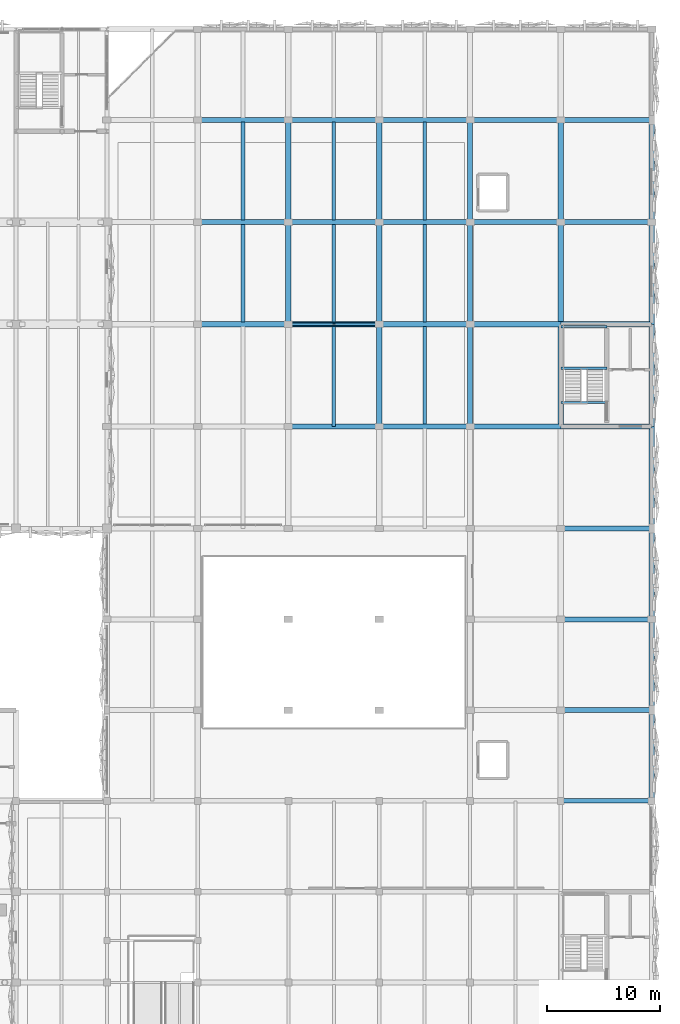
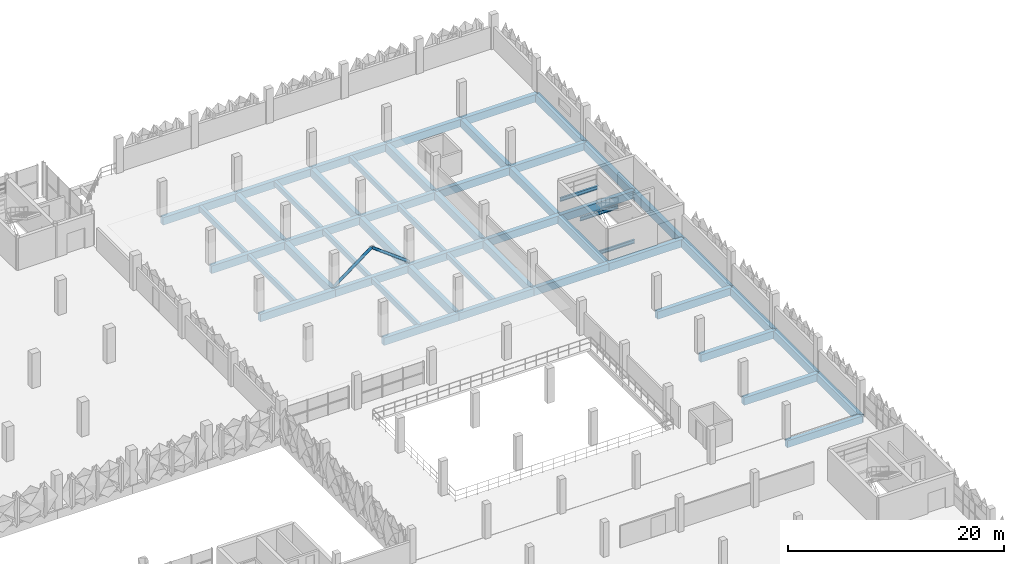
# One storey, part 55 of 123: 52 beams, 2 members.
"""IFC4 building model written with IfcOpenShell, lengths in metres."""

from ifc_helpers import new_model, si_unit, derived_unit, direction, frame, origin, origin_2d, place, context, subcontext, project, spatial, rectangle, hollow_circle, i_section, extrude, material, material_profile, profile_set, type_object, element, save


model = new_model("IFC4")

# Units and contexts
model_context = context("Model", 3, precision=1e-05, world=origin(), true_north=direction((0.0, 1.0)))
body_context = subcontext(model_context, "Body", "Model", "MODEL_VIEW")
ifc_project = project(units=[si_unit("LENGTHUNIT", "METRE"), si_unit("AREAUNIT", "SQUARE_METRE"), si_unit("VOLUMEUNIT", "CUBIC_METRE"), si_unit("PLANEANGLEUNIT", "RADIAN"), si_unit("MASSUNIT", "GRAM", prefix="KILO"), si_unit("THERMODYNAMICTEMPERATUREUNIT", "KELVIN"), derived_unit("THERMALTRANSMITTANCEUNIT", [(si_unit("POWERUNIT", "WATT"), 1), (si_unit("AREAUNIT", "SQUARE_METRE"), -1), (si_unit("THERMODYNAMICTEMPERATUREUNIT", "KELVIN"), -1)])], contexts=[model_context])

# Site, building, storey
site_placement = place(None, origin())
site = spatial("IfcSite", under=ifc_project, at=site_placement, CompositionType="ELEMENT")
building_placement = place(site_placement, origin())
building = spatial("IfcBuilding", under=site, at=building_placement, Name="Haiyu Intermodal Mobility Hub", CompositionType="ELEMENT")
storey_placement = place(building_placement, frame((0.0, 0.0, 5.60009765625)))
storey = spatial("IfcBuildingStorey", under=building, at=storey_placement, Name="L01", CompositionType="ELEMENT", Elevation=5.60009765625)

# Beams
ifc_material_1 = material(Name="Concrete C40", Category="concrete")
ifc_material_profile_1 = material_profile(ifc_material_1, rectangle(XDim=0.449951171875, YDim=0.85009765625, at=origin_2d()), Name="RCB450x850")
ifc_profile_set_1 = profile_set([ifc_material_profile_1], Name="Concrete C40")
beam_type_1 = type_object("IfcBeamType", Name="BM-CB02", PredefinedType="BEAM", material=ifc_profile_set_1)
for number, where, z_axis, x_axis, name in (
    (1, (202.0, 88.0, -0.68505859375), (1.0, 0.0, 0.0), (0.0, 1.0, 0.0), "BM-V6G-L01-012"),
    (2, (202.0, 96.0, -0.68505859375), (1.0, 0.0, 0.0), (0.0, 1.0, 0.0), "BM-V6G-L01-018"),
    (3, (202.0, 104.0, -0.68505859375), (1.0, 0.0, 0.0), (0.0, 1.0, 0.0), "BM-V6G-L01-024"),
    (4, (178.0, 113.0, -0.68505859375), (1.0, 0.0, 0.0), (0.0, 1.0, 0.0), "BM-V6G-L01-027"),
    (5, (186.0, 113.0, -0.68505859375), (1.0, 0.0, 0.0), (0.0, 1.0, 0.0), "BM-V6G-L01-028"),
    (6, (194.0, 113.0, -0.68505859375), (1.0, 0.0, 0.0), (0.0, 1.0, 0.0), "BM-V6G-L01-029"),
    (7, (202.0, 113.0, -0.68505859375), (1.0, 0.0, 0.0), (0.0, 1.0, 0.0), "BM-V6G-L01-030"),
    (8, (170.0, 122.0, -0.68505859375), (1.0, 0.0, 0.0), (0.0, 1.0, 0.0), "BM-V6G-L01-032"),
    (9, (178.0, 122.0, -0.68505859375), (1.0, 0.0, 0.0), (0.0, 1.0, 0.0), "BM-V6G-L01-033"),
    (10, (186.0, 122.0, -0.68505859375), (1.0, 0.0, 0.0), (0.0, 1.0, 0.0), "BM-V6G-L01-034"),
    (11, (194.0, 122.0, -0.68505859375), (1.0, 0.0, 0.0), (0.0, 1.0, 0.0), "BM-V6G-L01-035"),
    (12, (202.0, 122.0, -0.68505859375), (1.0, 0.0, 0.0), (0.0, 1.0, 0.0), "BM-V6G-L01-036"),
    (13, (170.0, 131.0, -0.68505859375), (1.0, 0.0, 0.0), (0.0, 1.0, 0.0), "BM-V6G-L01-038"),
    (14, (178.0, 131.0, -0.68505859375), (1.0, 0.0, 0.0), (0.0, 1.0, 0.0), "BM-V6G-L01-039"),
    (15, (186.0, 131.0, -0.68505859375), (1.0, 0.0, 0.0), (0.0, 1.0, 0.0), "BM-V6G-L01-040"),
    (16, (194.0, 131.0, -0.68505859375), (1.0, 0.0, 0.0), (0.0, 1.0, 0.0), "BM-V6G-L01-041"),
    (17, (202.0, 131.0, -0.68505859375), (1.0, 0.0, 0.0), (0.0, 1.0, 0.0), "BM-V6G-L01-042"),
    (18, (170.0, 140.0, -0.68505859375), (1.0, 0.0, 0.0), (0.0, 1.0, 0.0), "BM-V6G-L01-044"),
    (19, (178.0, 140.0, -0.68505859375), (1.0, 0.0, 0.0), (0.0, 1.0, 0.0), "BM-V6G-L01-045"),
    (20, (186.0, 140.0, -0.68505859375), (1.0, 0.0, 0.0), (0.0, 1.0, 0.0), "BM-V6G-L01-046"),
    (21, (194.0, 140.0, -0.68505859375), (1.0, 0.0, 0.0), (0.0, 1.0, 0.0), "BM-V6G-L01-047"),
    (22, (202.0, 140.0, -0.68505859375), (1.0, 0.0, 0.0), (0.0, 1.0, 0.0), "BM-V6G-L01-048"),
):
    element("IfcBeam", number, at=place(storey_placement, frame(where, z_axis=z_axis, x_axis=x_axis)), inside=storey, type_object=beam_type_1, Name=name, PredefinedType="BEAM", context=body_context, shape_type="SweptSolid", body=[
        extrude(rectangle(XDim=0.449951171875, YDim=0.85009765625, at=origin_2d()), origin(), (0.0, 0.0, 1.0), 8.0),
    ])
ifc_material_profile_2 = material_profile(ifc_material_1, rectangle(XDim=0.39990234375, YDim=0.800048828125, at=origin_2d()), Name="RCB400x800")
ifc_profile_set_2 = profile_set([ifc_material_profile_2], Name="Concrete C40")
beam_type_2 = type_object("IfcBeamType", Name="BM-CB05", PredefinedType="BEAM", material=ifc_profile_set_2)
beam_1_placement = place(storey_placement, frame((202.0, 80.0, -0.66015625), z_axis=(1.0, 0.0, 0.0), x_axis=(0.0, 1.0, 0.0)))
element("IfcBeam", 23, at=beam_1_placement, inside=storey, type_object=beam_type_2, Name="BM-V5G-L01-062", PredefinedType="BEAM", context=body_context, shape_type="SweptSolid", body=[
    extrude(rectangle(XDim=0.39990234375, YDim=0.800048828125, at=origin_2d()), origin(), (0.0, 0.0, 1.0), 8.0),
])
ifc_material_profile_3 = material_profile(ifc_material_1, rectangle(XDim=0.47998046875, YDim=0.919921875, at=origin_2d()), Name="B480x920")
ifc_profile_set_3 = profile_set([ifc_material_profile_3], Name="Concrete C40")
beam_type_3 = type_object("IfcBeamType", Name="BM-CB13", PredefinedType="BEAM", material=ifc_profile_set_3)
for number, where, z_axis, x_axis, name in (
    (24, (178.0, 122.0, -0.72021484375), (0.0, 1.0, 0.0), (-1.0, 0.0, 0.0), "BM-V6T-L01-022"),
    (25, (178.0, 131.0, -0.72021484375), (0.0, 1.0, 0.0), (-1.0, 0.0, 0.0), "BM-V6T-L01-023"),
    (26, (186.0, 113.0, -0.72021484375), (0.0, 1.0, 0.0), (-1.0, 0.0, 0.0), "BM-V6T-L01-029"),
    (27, (186.0, 122.0, -0.72021484375), (0.0, 1.0, 0.0), (-1.0, 0.0, 0.0), "BM-V6T-L01-030"),
    (28, (186.0, 131.0, -0.72021484375), (0.0, 1.0, 0.0), (-1.0, 0.0, 0.0), "BM-V6T-L01-031"),
    (29, (194.0, 113.0, -0.72021484375), (0.0, 1.0, 0.0), (-1.0, 0.0, 0.0), "BM-V6T-L01-037"),
    (30, (194.0, 122.0, -0.72021484375), (0.0, 1.0, 0.0), (-1.0, 0.0, 0.0), "BM-V6T-L01-038"),
    (31, (194.0, 131.0, -0.72021484375), (0.0, 1.0, 0.0), (-1.0, 0.0, 0.0), "BM-V6T-L01-039"),
    (32, (202.0, 113.0, -0.72021484375), (0.0, 1.0, 0.0), (-1.0, 0.0, 0.0), "BM-V6T-L01-045"),
    (33, (202.0, 122.0, -0.72021484375), (0.0, 1.0, 0.0), (-1.0, 0.0, 0.0), "BM-V6T-L01-046"),
    (34, (202.0, 131.0, -0.72021484375), (0.0, 1.0, 0.0), (-1.0, 0.0, 0.0), "BM-V6T-L01-047"),
):
    element("IfcBeam", number, at=place(storey_placement, frame(where, z_axis=z_axis, x_axis=x_axis)), inside=storey, type_object=beam_type_3, Name=name, PredefinedType="BEAM", context=body_context, shape_type="SweptSolid", body=[
        extrude(rectangle(XDim=0.47998046875, YDim=0.919921875, at=origin_2d()), origin(), (0.0, 0.0, 1.0), 9.0),
    ])
ifc_material_profile_4 = material_profile(ifc_material_1, rectangle(XDim=0.47998046875, YDim=0.919921875, at=origin_2d()), Name="B480x920")
ifc_profile_set_4 = profile_set([ifc_material_profile_4], Name="Concrete C40")
beam_type_4 = type_object("IfcBeamType", Name="BM-CB13-EXT", PredefinedType="BEAM", material=ifc_profile_set_4)
for number, where, z_axis, x_axis, name in (
    (35, (210.0, 80.0, -0.72021484375), (0.0, 1.0, 0.0), (-1.0, 0.0, 0.0), "BM-V6T-L01-049"),
    (36, (210.0, 88.0, -0.72021484375), (0.0, 1.0, 0.0), (-1.0, 0.0, 0.0), "BM-V6T-L01-050"),
    (37, (210.0, 96.0, -0.72021484375), (0.0, 1.0, 0.0), (-1.0, 0.0, 0.0), "BM-V6T-L01-051"),
):
    element("IfcBeam", number, at=place(storey_placement, frame(where, z_axis=z_axis, x_axis=x_axis)), inside=storey, type_object=beam_type_4, Name=name, PredefinedType="BEAM", context=body_context, shape_type="SweptSolid", body=[
        extrude(rectangle(XDim=0.47998046875, YDim=0.919921875, at=origin_2d()), origin(), (0.0, 0.0, 1.0), 8.0),
    ])
for number, where, z_axis, x_axis, name in (
    (38, (210.0, 104.0, -0.72021484375), (0.0, 1.0, 0.0), (-1.0, 0.0, 0.0), "BM-V6T-L01-052"),
    (39, (210.0, 113.0, -0.72021484375), (0.0, 1.0, 0.0), (-1.0, 0.0, 0.0), "BM-V6T-L01-053"),
    (40, (210.0, 122.0, -0.72021484375), (0.0, 1.0, 0.0), (-1.0, 0.0, 0.0), "BM-V6T-L01-054"),
    (41, (210.0, 131.0, -0.72021484375), (0.0, 1.0, 0.0), (-1.0, 0.0, 0.0), "BM-V6T-L01-055"),
):
    element("IfcBeam", number, at=place(storey_placement, frame(where, z_axis=z_axis, x_axis=x_axis)), inside=storey, type_object=beam_type_4, Name=name, PredefinedType="BEAM", context=body_context, shape_type="SweptSolid", body=[
        extrude(rectangle(XDim=0.47998046875, YDim=0.919921875, at=origin_2d()), origin(), (0.0, 0.0, 1.0), 9.0),
    ])
ifc_material_profile_5 = material_profile(ifc_material_1, rectangle(XDim=0.320068359375, YDim=0.580078125, at=origin_2d()), Name="B320x580")
ifc_profile_set_5 = profile_set([ifc_material_profile_5], Name="Concrete C40")
beam_type_5 = type_object("IfcBeamType", Name="BM-CB17", PredefinedType="JOIST", material=ifc_profile_set_5)
for number, where, z_axis, x_axis, name in (
    (42, (174.0, 122.195068359375, -0.550048828125), (0.0, 1.0, 0.0), (-1.0, 0.0, 0.0), "BM-V6J-L01-014"),
    (43, (174.0, 131.195068359375, -0.550048828125), (0.0, 1.0, 0.0), (-1.0, 0.0, 0.0), "BM-V6J-L01-015"),
):
    element("IfcBeam", number, at=place(storey_placement, frame(where, z_axis=z_axis, x_axis=x_axis)), inside=storey, type_object=beam_type_5, Name=name, PredefinedType="JOIST", context=body_context, shape_type="SweptSolid", body=[
        extrude(rectangle(XDim=0.320068359375, YDim=0.580078125, at=origin_2d()), origin(), (0.0, 0.0, 1.0), 8.60986328125),
    ])
beam_2_placement = place(storey_placement, frame((182.0, 113.0, -0.550048828125), z_axis=(0.0, 1.0, 0.0), x_axis=(-1.0, 0.0, 0.0)))
element("IfcBeam", 44, at=beam_2_placement, inside=storey, type_object=beam_type_5, Name="BM-V6J-L01-019", PredefinedType="JOIST", context=body_context, shape_type="SweptSolid", body=[
    extrude(rectangle(XDim=0.320068359375, YDim=0.580078125, at=origin_2d()), origin(), (0.0, 0.0, 1.0), 8.804931640625),
])
for number, where, z_axis, x_axis, name in (
    (45, (182.0, 122.195068359375, -0.550048828125), (0.0, 1.0, 0.0), (-1.0, 0.0, 0.0), "BM-V6J-L01-020"),
    (46, (182.0, 131.195068359375, -0.550048828125), (0.0, 1.0, 0.0), (-1.0, 0.0, 0.0), "BM-V6J-L01-021"),
    (47, (190.0, 113.195068359375, -0.550048828125), (0.0, 1.0, 0.0), (-1.0, 0.0, 0.0), "BM-V6J-L01-027"),
    (48, (190.0, 122.195068359375, -0.550048828125), (0.0, 1.0, 0.0), (-1.0, 0.0, 0.0), "BM-V6J-L01-028"),
    (49, (190.0, 131.195068359375, -0.550048828125), (0.0, 1.0, 0.0), (-1.0, 0.0, 0.0), "BM-V6J-L01-029"),
):
    element("IfcBeam", number, at=place(storey_placement, frame(where, z_axis=z_axis, x_axis=x_axis)), inside=storey, type_object=beam_type_5, Name=name, PredefinedType="JOIST", context=body_context, shape_type="SweptSolid", body=[
        extrude(rectangle(XDim=0.320068359375, YDim=0.580078125, at=origin_2d()), origin(), (0.0, 0.0, 1.0), 8.60986328125),
    ])
ifc_material_2 = material(Name="Steel Q355C", Category="steel")
ifc_material_profile_6 = material_profile(ifc_material_2, i_section(OverallWidth=0.199951171875, OverallDepth=0.39990234375, WebThickness=0.008056640625, FlangeThickness=0.012939453125, FilletRadius=0.01611328125, at=origin_2d()), Name="HN400x200x8x13")
ifc_profile_set_6 = profile_set([ifc_material_profile_6], Name="Steel Q355C")
beam_type_6 = type_object("IfcBeamType", Name="BM-SB08", PredefinedType="JOIST", material=ifc_profile_set_6)
for number, where, z_axis, x_axis, name in (
    (50, (202.0, 115.10009765625, -0.525146484375), (1.0, 0.0, 0.0), (0.0, 1.0, 0.0), "Stair Arrival Trimmer Beam C10-L00"),
    (51, (202.0, 118.1298828125, 1.52490234375), (1.0, 0.0, 0.0), (0.0, 1.0, 0.0), "Stair Half-Landing Front Beam C10-L01"),
    (52, (202.0, 121.780029296875, 1.52490234375), (1.0, 0.0, 0.0), (0.0, 1.0, 0.0), "Stair Half-Landing Rear Beam C10-L01"),
):
    element("IfcBeam", number, at=place(storey_placement, frame(where, z_axis=z_axis, x_axis=x_axis)), inside=storey, type_object=beam_type_6, Name=name, PredefinedType="JOIST", context=body_context, shape_type="SweptSolid", body=[
        extrude(i_section(OverallWidth=0.199951171875, OverallDepth=0.39990234375, WebThickness=0.008056640625, FlangeThickness=0.012939453125, FilletRadius=0.01611328125, at=origin_2d()), origin(), (0.0, 0.0, 1.0), 4.050048828125),
    ])

# Members
ifc_material_profile_7 = material_profile(ifc_material_2, hollow_circle(Radius=0.1494140625, WallThickness=0.010009765625, at=origin_2d()), Name="CHS299x10")
ifc_profile_set_7 = profile_set([ifc_material_profile_7], Name="Steel Q355C")
member_type = type_object("IfcMemberType", Name="MEM-BR02", PredefinedType="BRACE", material=ifc_profile_set_7)
for number, where, z_axis, x_axis, name in (
    (53, (178.0, 122.0, 0.0), (0.8, 0.0, 0.6), (0.0, 1.0, 0.0), "Seismic Chevron Brace B6-L01-A"),
    (54, (186.0, 122.0, 0.0), (-0.8, 0.0, 0.6), (0.0, -1.0, 0.0), "Seismic Chevron Brace B6-L01-B"),
):
    element("IfcMember", number, at=place(storey_placement, frame(where, z_axis=z_axis, x_axis=x_axis)), inside=storey, type_object=member_type, Name=name, PredefinedType="BRACE", context=body_context, shape_type="SweptSolid", body=[
        extrude(hollow_circle(Radius=0.1494140625, WallThickness=0.010009765625, at=origin_2d()), origin(), (0.0, 0.0, 1.0), 5.0),
    ])

save(model, "model.ifc")
